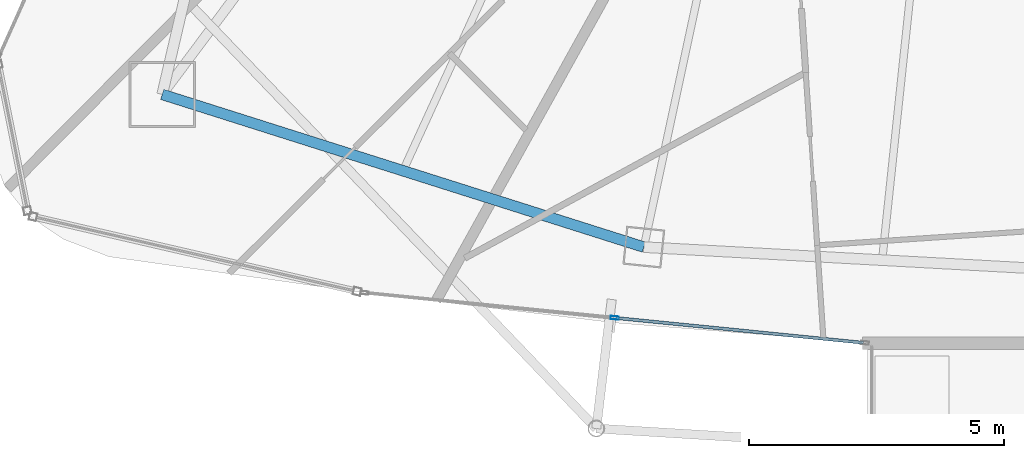
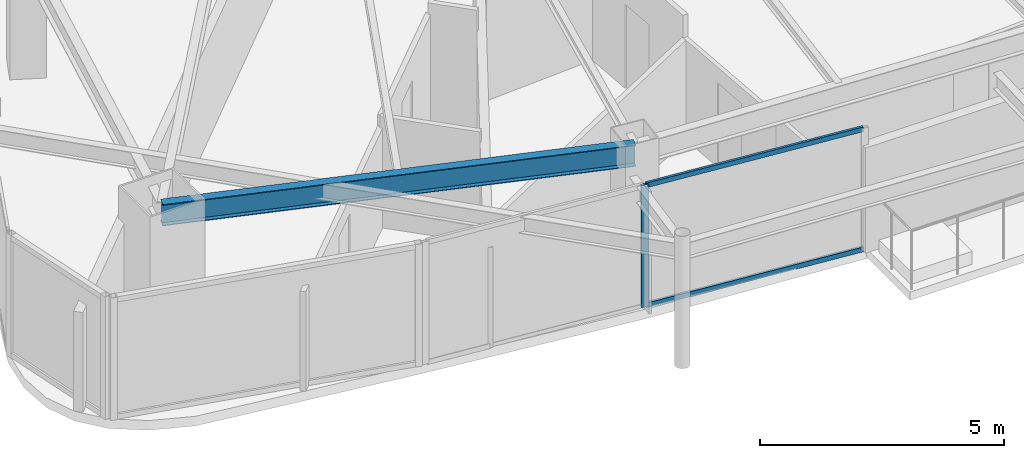
# One storey, part 4 of 29: 3 members, 1 beam, 1 element without a shape of its own.
"""IFC4 building model written with IfcOpenShell, lengths in metres."""

from ifc_helpers import new_model, si_unit, direction, frame, origin, origin_2d, place, context, subcontext, project, spatial, hollow_rectangle, i_section, extrude, material, layer, layer_set, material_profile, profile_set, type_object, element, aggregate, save


model = new_model("IFC4")

# Units and contexts
model_context = context("Model", 3, precision=1e-05, world=origin(), true_north=direction((0.0, 1.0)))
body_context = subcontext(model_context, "Body", "Model", "MODEL_VIEW")
ifc_project = project(units=[si_unit("LENGTHUNIT", "METRE"), si_unit("AREAUNIT", "SQUARE_METRE"), si_unit("VOLUMEUNIT", "CUBIC_METRE"), si_unit("PLANEANGLEUNIT", "RADIAN"), si_unit("MASSUNIT", "GRAM", prefix="KILO")], contexts=[model_context])

# Site, building, storey
site_placement = place(None, origin())
site = spatial("IfcSite", under=ifc_project, at=site_placement, CompositionType="ELEMENT")
building_placement = place(site_placement, origin())
building = spatial("IfcBuilding", under=site, at=building_placement, Name="Orvanel Arch Residences", CompositionType="ELEMENT")
storey_placement = place(building_placement, frame((0.0, 0.0, 250.25)))
storey = spatial("IfcBuildingStorey", under=building, at=storey_placement, Name="L71", CompositionType="ELEMENT", Elevation=250.25)

# Curtain wall, member
ifc_material_1 = material(Name="Bronze-anodised aluminium AA6063-T6", Category="aluminium")
ifc_layer = layer(ifc_material_1, 0.175048828125)
ifc_layer_set = layer_set([ifc_layer], Name="Bronze-anodised aluminium AA6063-T6")
curtain_wall_type = type_object("IfcCurtainWallType", Name="CW4-HI-SYS", PredefinedType="NOTDEFINED", material=ifc_layer_set)
curtain_wall_placement = place(storey_placement, origin())
curtain_wall = element("IfcCurtainWall", 1, at=curtain_wall_placement, inside=storey, type_object=curtain_wall_type, Name="L71 CW4-HI-SYS Unitised Curtain Wall", PredefinedType="NOTDEFINED")
ifc_material_profile_1 = material_profile(ifc_material_1, hollow_rectangle(XDim=0.06494140625, YDim=0.159912109375, WallThickness=0.00390625, at=origin_2d()), Name="ALU160x65x4")
ifc_profile_set_1 = profile_set([ifc_material_profile_1], Name="Bronze-anodised aluminium AA6063-T6")
member_type_1 = type_object("IfcMemberType", Name="MUL-160x65", PredefinedType="MULLION", material=ifc_profile_set_1)
member_1_placement = place(storey_placement, frame((23.077880859375, 5.966552734375, 0.0), z_axis=(0.0, 0.0, 1.0), x_axis=(0.099583474002, 0.995029211484, 0.0)))
member_1 = element("IfcMember", 2, at=member_1_placement, type_object=member_type_1, Name="CW-S4 mullion 2", PredefinedType="MULLION", context=body_context, shape_type="SweptSolid", body=[
    extrude(hollow_rectangle(XDim=0.06494140625, YDim=0.159912109375, WallThickness=0.00390625, at=origin_2d()), origin(), (0.0, 0.0, 1.0), 3.06005859375),
])

# Beam
ifc_material_2 = material(Name="Structural steel AS/NZS 3679.1 Grade 300 (300 MPa)", Category="steel")
ifc_material_profile_2 = material_profile(ifc_material_2, i_section(OverallWidth=0.208984375, OverallDepth=0.532958984375, WebThickness=0.01025390625, FlangeThickness=0.015625, at=origin_2d()), Name="530UB92.4")
ifc_profile_set_2 = profile_set([ifc_material_profile_2], Name="Structural steel AS/NZS 3679.1 Grade 300 (300 MPa)")
beam_type = type_object("IfcBeamType", Name="SP-530UB", PredefinedType="SPANDREL", material=ifc_profile_set_2)
beam_placement = place(storey_placement, frame((14.198974609375, 10.35107421875, 2.79296875), z_axis=(0.953237386592, -0.302222574941, 0.0), x_axis=(0.302222574941, 0.953237386592, 0.0)))
element("IfcBeam", 3, at=beam_placement, inside=storey, type_object=beam_type, Name="L71 Perimeter Spandrel Beam 02", PredefinedType="SPANDREL", context=body_context, shape_type="SweptSolid", body=[
    extrude(i_section(OverallWidth=0.208984375, OverallDepth=0.532958984375, WebThickness=0.01025390625, FlangeThickness=0.015625, at=origin_2d()), origin(), (0.0, 0.0, 1.0), 9.91357421875),
])

# Member
ifc_material_profile_3 = material_profile(ifc_material_1, hollow_rectangle(XDim=0.06005859375, YDim=0.1201171875, WallThickness=0.00341796875, at=origin_2d()), Name="ALU120x60x3.5")
ifc_profile_set_3 = profile_set([ifc_material_profile_3], Name="Bronze-anodised aluminium AA6063-T6")
member_type_2 = type_object("IfcMemberType", Name="TRN-120x60", PredefinedType="USERDEFINED", material=ifc_profile_set_3)
member_2_placement = place(storey_placement, frame((23.1103515625, 5.96337890625, 0.030029296875), z_axis=(0.995027751564, -0.09959806031, 0.0), x_axis=(0.09959806031, 0.995027751564, 0.0)))
member_2 = element("IfcMember", 4, at=member_2_placement, type_object=member_type_2, Name="CW-S4 transom 2.1", ObjectType="TRANSOM", PredefinedType="USERDEFINED", context=body_context, shape_type="SweptSolid", body=[
    extrude(hollow_rectangle(XDim=0.06005859375, YDim=0.1201171875, WallThickness=0.00341796875, at=origin_2d()), origin(), (0.0, 0.0, 1.0), 4.8681640625),
])

member_3_placement = place(storey_placement, frame((23.1103515625, 5.96337890625, 3.030029296875), z_axis=(0.995027751564, -0.09959806031, 0.0), x_axis=(0.09959806031, 0.995027751564, 0.0)))
member_3 = element("IfcMember", 5, at=member_3_placement, type_object=member_type_2, Name="CW-S4 transom 2.2", ObjectType="TRANSOM", PredefinedType="USERDEFINED", context=body_context, shape_type="SweptSolid", body=[
    extrude(hollow_rectangle(XDim=0.06005859375, YDim=0.1201171875, WallThickness=0.00341796875, at=origin_2d()), origin(), (0.0, 0.0, 1.0), 4.8681640625),
])

aggregate(curtain_wall, [member_1, member_2, member_3])

save(model, "model.ifc")
